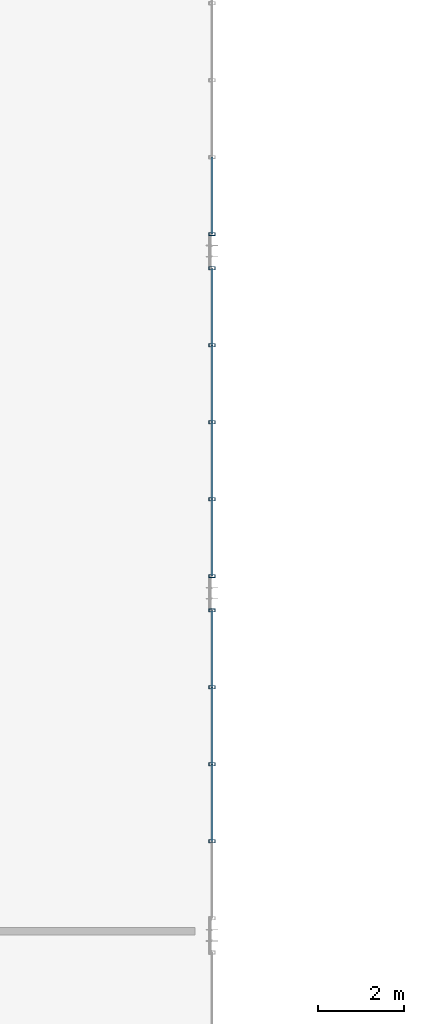
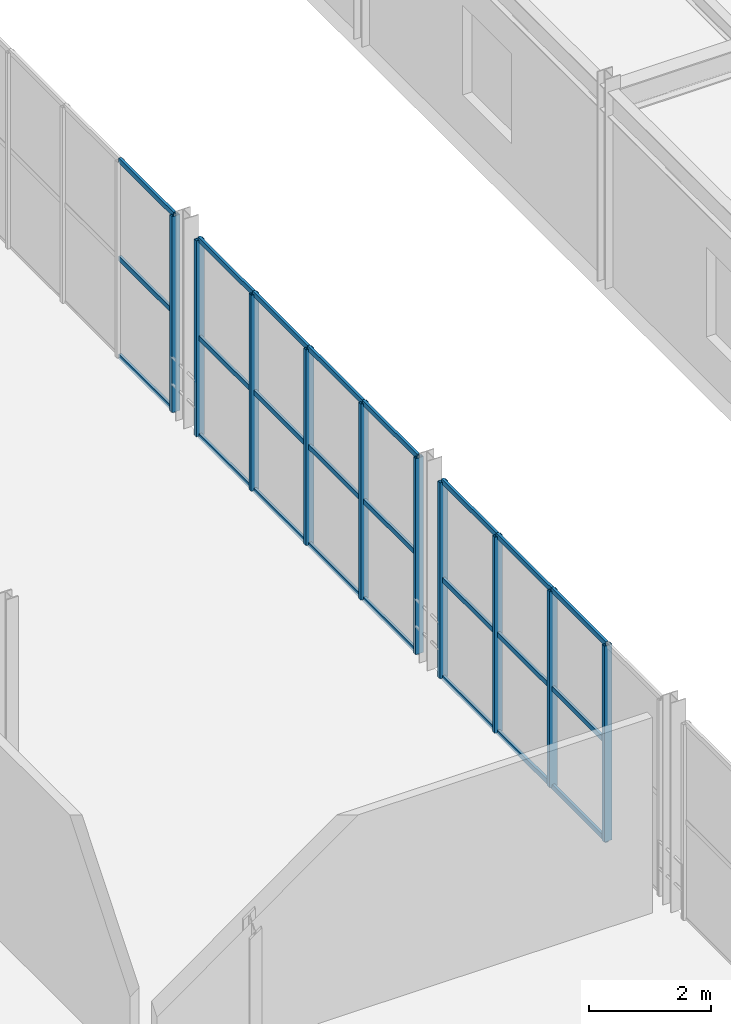
# One storey, part 57 of 122: 34 members, 3 elements without a shape of their own.
"""IFC4 building model written with IfcOpenShell, lengths in metres."""

from ifc_helpers import new_model, si_unit, direction, frame, origin, origin_2d, place, context, subcontext, project, spatial, hollow_rectangle, extrude, material, material_profile, profile_set, type_object, element, aggregate, save


model = new_model("IFC4")

# Units and contexts
model_context = context("Model", 3, precision=1e-05, world=origin(), true_north=direction((0.0, 1.0)))
body_context = subcontext(model_context, "Body", "Model", "MODEL_VIEW")
ifc_project = project(units=[si_unit("LENGTHUNIT", "METRE"), si_unit("AREAUNIT", "SQUARE_METRE"), si_unit("VOLUMEUNIT", "CUBIC_METRE"), si_unit("PLANEANGLEUNIT", "RADIAN"), si_unit("MASSUNIT", "GRAM", prefix="KILO")], contexts=[model_context])

# Site, building, storey
site_placement = place(None, origin())
site = spatial("IfcSite", under=ifc_project, at=site_placement, CompositionType="ELEMENT")
building_placement = place(site_placement, origin())
building = spatial("IfcBuilding", under=site, at=building_placement, Name="Sundkrona Museum", CompositionType="ELEMENT")
storey_placement = place(building_placement, frame((0.0, 0.0, 5.39990234375)))
storey = spatial("IfcBuildingStorey", under=building, at=storey_placement, Name="L01", CompositionType="ELEMENT", Elevation=5.39990234375)

# Curtain wall, members
ifc_material_1 = material(Name="Unitised Aluminium-Steel and Ceramic-Clad Curtain Walling", Category="steel")
curtain_wall_type = type_object("IfcCurtainWallType", Name="CW-PS-54x38", PredefinedType="NOTDEFINED", material=ifc_material_1)
curtain_wall_1_placement = place(storey_placement, origin())
curtain_wall_1 = element("IfcCurtainWall", 1, at=curtain_wall_1_placement, inside=storey, type_object=curtain_wall_type, Name="L01 Curtain Wall CW-L01-119", PredefinedType="NOTDEFINED")
ifc_material_2 = material(Name="Aluminium EN AW-6060 T66", Category="aluminium")
ifc_material_profile_1 = material_profile(ifc_material_2, hollow_rectangle(XDim=0.074951171875, YDim=0.14990234375, WallThickness=0.00634765625, at=origin_2d()), Name="RHS 150x75x6.3")
ifc_profile_set_1 = profile_set([ifc_material_profile_1], Name="Aluminium EN AW-6060 T66")
member_type_1 = type_object("IfcMemberType", Name="ML-150", PredefinedType="MULLION", material=ifc_profile_set_1)
member_1_placement = place(storey_placement, frame((96.0, 80.199951171875, -0.00390625), z_axis=(0.0, 0.0, 1.0), x_axis=(0.0, 1.0, 0.0)))
member_1 = element("IfcMember", 2, at=member_1_placement, type_object=member_type_1, Name="CW-L01-119 Mullion 02", PredefinedType="MULLION", context=body_context, shape_type="SweptSolid", body=[
    extrude(hollow_rectangle(XDim=0.074951171875, YDim=0.14990234375, WallThickness=0.00634765625, at=origin_2d()), origin(), (0.0, 0.0, 1.0), 3.927978515625),
])
member_2_placement = place(storey_placement, frame((96.0, 82.0, -0.00390625), z_axis=(0.0, 0.0, 1.0), x_axis=(0.0, 1.0, 0.0)))
member_2 = element("IfcMember", 3, at=member_2_placement, type_object=member_type_1, Name="CW-L01-119 Mullion 03", PredefinedType="MULLION", context=body_context, shape_type="SweptSolid", body=[
    extrude(hollow_rectangle(XDim=0.074951171875, YDim=0.14990234375, WallThickness=0.00634765625, at=origin_2d()), origin(), (0.0, 0.0, 1.0), 3.927978515625),
])
member_3_placement = place(storey_placement, frame((96.0, 83.800048828125, -0.00390625), z_axis=(0.0, 0.0, 1.0), x_axis=(0.0, 1.0, 0.0)))
member_3 = element("IfcMember", 4, at=member_3_placement, type_object=member_type_1, Name="CW-L01-119 Mullion 04", PredefinedType="MULLION", context=body_context, shape_type="SweptSolid", body=[
    extrude(hollow_rectangle(XDim=0.074951171875, YDim=0.14990234375, WallThickness=0.00634765625, at=origin_2d()), origin(), (0.0, 0.0, 1.0), 3.927978515625),
])
member_4_placement = place(storey_placement, frame((96.0, 85.60009765625, -0.00390625), z_axis=(0.0, 0.0, 1.0), x_axis=(0.0, 1.0, 0.0)))
member_4 = element("IfcMember", 5, at=member_4_placement, type_object=member_type_1, Name="CW-L01-119 Mullion 05", PredefinedType="MULLION", context=body_context, shape_type="SweptSolid", body=[
    extrude(hollow_rectangle(XDim=0.074951171875, YDim=0.14990234375, WallThickness=0.00634765625, at=origin_2d()), origin(), (0.0, 0.0, 1.0), 3.927978515625),
])

curtain_wall_2_placement = place(storey_placement, origin())
curtain_wall_2 = element("IfcCurtainWall", 6, at=curtain_wall_2_placement, inside=storey, type_object=curtain_wall_type, Name="L01 Curtain Wall CW-L01-121", PredefinedType="NOTDEFINED")
member_5_placement = place(storey_placement, frame((96.0, 86.39990234375, -0.00390625), z_axis=(0.0, 0.0, 1.0), x_axis=(0.0, 1.0, 0.0)))
member_5 = element("IfcMember", 7, at=member_5_placement, type_object=member_type_1, Name="CW-L01-121 Mullion 01", PredefinedType="MULLION", context=body_context, shape_type="SweptSolid", body=[
    extrude(hollow_rectangle(XDim=0.074951171875, YDim=0.14990234375, WallThickness=0.00634765625, at=origin_2d()), origin(), (0.0, 0.0, 1.0), 3.927978515625),
])
member_6_placement = place(storey_placement, frame((96.0, 88.199951171875, -0.00390625), z_axis=(0.0, 0.0, 1.0), x_axis=(0.0, 1.0, 0.0)))
member_6 = element("IfcMember", 8, at=member_6_placement, type_object=member_type_1, Name="CW-L01-121 Mullion 02", PredefinedType="MULLION", context=body_context, shape_type="SweptSolid", body=[
    extrude(hollow_rectangle(XDim=0.074951171875, YDim=0.14990234375, WallThickness=0.00634765625, at=origin_2d()), origin(), (0.0, 0.0, 1.0), 3.927978515625),
])
member_7_placement = place(storey_placement, frame((96.0, 90.0, -0.00390625), z_axis=(0.0, 0.0, 1.0), x_axis=(0.0, 1.0, 0.0)))
member_7 = element("IfcMember", 9, at=member_7_placement, type_object=member_type_1, Name="CW-L01-121 Mullion 03", PredefinedType="MULLION", context=body_context, shape_type="SweptSolid", body=[
    extrude(hollow_rectangle(XDim=0.074951171875, YDim=0.14990234375, WallThickness=0.00634765625, at=origin_2d()), origin(), (0.0, 0.0, 1.0), 3.927978515625),
])
member_8_placement = place(storey_placement, frame((96.0, 91.800048828125, -0.00390625), z_axis=(0.0, 0.0, 1.0), x_axis=(0.0, 1.0, 0.0)))
member_8 = element("IfcMember", 10, at=member_8_placement, type_object=member_type_1, Name="CW-L01-121 Mullion 04", PredefinedType="MULLION", context=body_context, shape_type="SweptSolid", body=[
    extrude(hollow_rectangle(XDim=0.074951171875, YDim=0.14990234375, WallThickness=0.00634765625, at=origin_2d()), origin(), (0.0, 0.0, 1.0), 3.927978515625),
])
member_9_placement = place(storey_placement, frame((96.0, 93.60009765625, -0.00390625), z_axis=(0.0, 0.0, 1.0), x_axis=(0.0, 1.0, 0.0)))
member_9 = element("IfcMember", 11, at=member_9_placement, type_object=member_type_1, Name="CW-L01-121 Mullion 05", PredefinedType="MULLION", context=body_context, shape_type="SweptSolid", body=[
    extrude(hollow_rectangle(XDim=0.074951171875, YDim=0.14990234375, WallThickness=0.00634765625, at=origin_2d()), origin(), (0.0, 0.0, 1.0), 3.927978515625),
])

# Curtain wall, member
curtain_wall_3_placement = place(storey_placement, origin())
curtain_wall_3 = element("IfcCurtainWall", 12, at=curtain_wall_3_placement, inside=storey, type_object=curtain_wall_type, Name="L01 Curtain Wall CW-L01-123", PredefinedType="NOTDEFINED")
member_10_placement = place(storey_placement, frame((96.0, 94.39990234375, -0.00390625), z_axis=(0.0, 0.0, 1.0), x_axis=(0.0, 1.0, 0.0)))
member_10 = element("IfcMember", 13, at=member_10_placement, type_object=member_type_1, Name="CW-L01-123 Mullion 01", PredefinedType="MULLION", context=body_context, shape_type="SweptSolid", body=[
    extrude(hollow_rectangle(XDim=0.074951171875, YDim=0.14990234375, WallThickness=0.00634765625, at=origin_2d()), origin(), (0.0, 0.0, 1.0), 3.927978515625),
])

# Member
ifc_material_profile_2 = material_profile(ifc_material_2, hollow_rectangle(XDim=0.050048828125, YDim=0.10009765625, WallThickness=0.0048828125, at=origin_2d()), Name="RHS 100x50x5.0")
ifc_profile_set_2 = profile_set([ifc_material_profile_2], Name="Aluminium EN AW-6060 T66")
member_type_2 = type_object("IfcMemberType", Name="TR-100", PredefinedType="USERDEFINED", material=ifc_profile_set_2)
member_11_placement = place(storey_placement, frame((96.0, 80.199951171875, -0.00390625), z_axis=(0.0, 1.0, 0.0), x_axis=(-1.0, 0.0, 0.0)))
member_11 = element("IfcMember", 14, at=member_11_placement, type_object=member_type_2, Name="CW-L01-119 Transom 04", ObjectType="TRANSOM", PredefinedType="USERDEFINED", context=body_context, shape_type="SweptSolid", body=[
    extrude(hollow_rectangle(XDim=0.050048828125, YDim=0.10009765625, WallThickness=0.0048828125, at=origin_2d()), origin(), (0.0, 0.0, 1.0), 1.800048828125),
])

member_12_placement = place(storey_placement, frame((96.0, 80.199951171875, 1.960205078125), z_axis=(0.0, 1.0, 0.0), x_axis=(-1.0, 0.0, 0.0)))
member_12 = element("IfcMember", 15, at=member_12_placement, type_object=member_type_2, Name="CW-L01-119 Transom 05", ObjectType="TRANSOM", PredefinedType="USERDEFINED", context=body_context, shape_type="SweptSolid", body=[
    extrude(hollow_rectangle(XDim=0.050048828125, YDim=0.10009765625, WallThickness=0.0048828125, at=origin_2d()), origin(), (0.0, 0.0, 1.0), 1.800048828125),
])

member_13_placement = place(storey_placement, frame((96.0, 80.199951171875, 3.924072265625), z_axis=(0.0, 1.0, 0.0), x_axis=(-1.0, 0.0, 0.0)))
member_13 = element("IfcMember", 16, at=member_13_placement, type_object=member_type_2, Name="CW-L01-119 Transom 06", ObjectType="TRANSOM", PredefinedType="USERDEFINED", context=body_context, shape_type="SweptSolid", body=[
    extrude(hollow_rectangle(XDim=0.050048828125, YDim=0.10009765625, WallThickness=0.0048828125, at=origin_2d()), origin(), (0.0, 0.0, 1.0), 1.800048828125),
])

member_14_placement = place(storey_placement, frame((96.0, 82.0, -0.00390625), z_axis=(0.0, 1.0, 0.0), x_axis=(-1.0, 0.0, 0.0)))
member_14 = element("IfcMember", 17, at=member_14_placement, type_object=member_type_2, Name="CW-L01-119 Transom 07", ObjectType="TRANSOM", PredefinedType="USERDEFINED", context=body_context, shape_type="SweptSolid", body=[
    extrude(hollow_rectangle(XDim=0.050048828125, YDim=0.10009765625, WallThickness=0.0048828125, at=origin_2d()), origin(), (0.0, 0.0, 1.0), 1.800048828125),
])

member_15_placement = place(storey_placement, frame((96.0, 82.0, 1.960205078125), z_axis=(0.0, 1.0, 0.0), x_axis=(-1.0, 0.0, 0.0)))
member_15 = element("IfcMember", 18, at=member_15_placement, type_object=member_type_2, Name="CW-L01-119 Transom 08", ObjectType="TRANSOM", PredefinedType="USERDEFINED", context=body_context, shape_type="SweptSolid", body=[
    extrude(hollow_rectangle(XDim=0.050048828125, YDim=0.10009765625, WallThickness=0.0048828125, at=origin_2d()), origin(), (0.0, 0.0, 1.0), 1.800048828125),
])

member_16_placement = place(storey_placement, frame((96.0, 82.0, 3.924072265625), z_axis=(0.0, 1.0, 0.0), x_axis=(-1.0, 0.0, 0.0)))
member_16 = element("IfcMember", 19, at=member_16_placement, type_object=member_type_2, Name="CW-L01-119 Transom 09", ObjectType="TRANSOM", PredefinedType="USERDEFINED", context=body_context, shape_type="SweptSolid", body=[
    extrude(hollow_rectangle(XDim=0.050048828125, YDim=0.10009765625, WallThickness=0.0048828125, at=origin_2d()), origin(), (0.0, 0.0, 1.0), 1.800048828125),
])

member_17_placement = place(storey_placement, frame((96.0, 83.800048828125, -0.00390625), z_axis=(0.0, 1.0, 0.0), x_axis=(-1.0, 0.0, 0.0)))
member_17 = element("IfcMember", 20, at=member_17_placement, type_object=member_type_2, Name="CW-L01-119 Transom 10", ObjectType="TRANSOM", PredefinedType="USERDEFINED", context=body_context, shape_type="SweptSolid", body=[
    extrude(hollow_rectangle(XDim=0.050048828125, YDim=0.10009765625, WallThickness=0.0048828125, at=origin_2d()), origin(), (0.0, 0.0, 1.0), 1.800048828125),
])

member_18_placement = place(storey_placement, frame((96.0, 83.800048828125, 1.960205078125), z_axis=(0.0, 1.0, 0.0), x_axis=(-1.0, 0.0, 0.0)))
member_18 = element("IfcMember", 21, at=member_18_placement, type_object=member_type_2, Name="CW-L01-119 Transom 11", ObjectType="TRANSOM", PredefinedType="USERDEFINED", context=body_context, shape_type="SweptSolid", body=[
    extrude(hollow_rectangle(XDim=0.050048828125, YDim=0.10009765625, WallThickness=0.0048828125, at=origin_2d()), origin(), (0.0, 0.0, 1.0), 1.800048828125),
])

member_19_placement = place(storey_placement, frame((96.0, 83.800048828125, 3.924072265625), z_axis=(0.0, 1.0, 0.0), x_axis=(-1.0, 0.0, 0.0)))
member_19 = element("IfcMember", 22, at=member_19_placement, type_object=member_type_2, Name="CW-L01-119 Transom 12", ObjectType="TRANSOM", PredefinedType="USERDEFINED", context=body_context, shape_type="SweptSolid", body=[
    extrude(hollow_rectangle(XDim=0.050048828125, YDim=0.10009765625, WallThickness=0.0048828125, at=origin_2d()), origin(), (0.0, 0.0, 1.0), 1.800048828125),
])

aggregate(curtain_wall_1, [member_1, member_2, member_3, member_4, member_11, member_12, member_13, member_14, member_15, member_16, member_17, member_18, member_19])

member_20_placement = place(storey_placement, frame((96.0, 86.39990234375, -0.00390625), z_axis=(0.0, 1.0, 0.0), x_axis=(-1.0, 0.0, 0.0)))
member_20 = element("IfcMember", 23, at=member_20_placement, type_object=member_type_2, Name="CW-L01-121 Transom 01", ObjectType="TRANSOM", PredefinedType="USERDEFINED", context=body_context, shape_type="SweptSolid", body=[
    extrude(hollow_rectangle(XDim=0.050048828125, YDim=0.10009765625, WallThickness=0.0048828125, at=origin_2d()), origin(), (0.0, 0.0, 1.0), 1.800048828125),
])

member_21_placement = place(storey_placement, frame((96.0, 86.39990234375, 1.960205078125), z_axis=(0.0, 1.0, 0.0), x_axis=(-1.0, 0.0, 0.0)))
member_21 = element("IfcMember", 24, at=member_21_placement, type_object=member_type_2, Name="CW-L01-121 Transom 02", ObjectType="TRANSOM", PredefinedType="USERDEFINED", context=body_context, shape_type="SweptSolid", body=[
    extrude(hollow_rectangle(XDim=0.050048828125, YDim=0.10009765625, WallThickness=0.0048828125, at=origin_2d()), origin(), (0.0, 0.0, 1.0), 1.800048828125),
])

member_22_placement = place(storey_placement, frame((96.0, 86.39990234375, 3.924072265625), z_axis=(0.0, 1.0, 0.0), x_axis=(-1.0, 0.0, 0.0)))
member_22 = element("IfcMember", 25, at=member_22_placement, type_object=member_type_2, Name="CW-L01-121 Transom 03", ObjectType="TRANSOM", PredefinedType="USERDEFINED", context=body_context, shape_type="SweptSolid", body=[
    extrude(hollow_rectangle(XDim=0.050048828125, YDim=0.10009765625, WallThickness=0.0048828125, at=origin_2d()), origin(), (0.0, 0.0, 1.0), 1.800048828125),
])

member_23_placement = place(storey_placement, frame((96.0, 88.199951171875, -0.00390625), z_axis=(0.0, 1.0, 0.0), x_axis=(-1.0, 0.0, 0.0)))
member_23 = element("IfcMember", 26, at=member_23_placement, type_object=member_type_2, Name="CW-L01-121 Transom 04", ObjectType="TRANSOM", PredefinedType="USERDEFINED", context=body_context, shape_type="SweptSolid", body=[
    extrude(hollow_rectangle(XDim=0.050048828125, YDim=0.10009765625, WallThickness=0.0048828125, at=origin_2d()), origin(), (0.0, 0.0, 1.0), 1.800048828125),
])

member_24_placement = place(storey_placement, frame((96.0, 88.199951171875, 1.960205078125), z_axis=(0.0, 1.0, 0.0), x_axis=(-1.0, 0.0, 0.0)))
member_24 = element("IfcMember", 27, at=member_24_placement, type_object=member_type_2, Name="CW-L01-121 Transom 05", ObjectType="TRANSOM", PredefinedType="USERDEFINED", context=body_context, shape_type="SweptSolid", body=[
    extrude(hollow_rectangle(XDim=0.050048828125, YDim=0.10009765625, WallThickness=0.0048828125, at=origin_2d()), origin(), (0.0, 0.0, 1.0), 1.800048828125),
])

member_25_placement = place(storey_placement, frame((96.0, 88.199951171875, 3.924072265625), z_axis=(0.0, 1.0, 0.0), x_axis=(-1.0, 0.0, 0.0)))
member_25 = element("IfcMember", 28, at=member_25_placement, type_object=member_type_2, Name="CW-L01-121 Transom 06", ObjectType="TRANSOM", PredefinedType="USERDEFINED", context=body_context, shape_type="SweptSolid", body=[
    extrude(hollow_rectangle(XDim=0.050048828125, YDim=0.10009765625, WallThickness=0.0048828125, at=origin_2d()), origin(), (0.0, 0.0, 1.0), 1.800048828125),
])

member_26_placement = place(storey_placement, frame((96.0, 90.0, -0.00390625), z_axis=(0.0, 1.0, 0.0), x_axis=(-1.0, 0.0, 0.0)))
member_26 = element("IfcMember", 29, at=member_26_placement, type_object=member_type_2, Name="CW-L01-121 Transom 07", ObjectType="TRANSOM", PredefinedType="USERDEFINED", context=body_context, shape_type="SweptSolid", body=[
    extrude(hollow_rectangle(XDim=0.050048828125, YDim=0.10009765625, WallThickness=0.0048828125, at=origin_2d()), origin(), (0.0, 0.0, 1.0), 1.800048828125),
])

member_27_placement = place(storey_placement, frame((96.0, 90.0, 1.960205078125), z_axis=(0.0, 1.0, 0.0), x_axis=(-1.0, 0.0, 0.0)))
member_27 = element("IfcMember", 30, at=member_27_placement, type_object=member_type_2, Name="CW-L01-121 Transom 08", ObjectType="TRANSOM", PredefinedType="USERDEFINED", context=body_context, shape_type="SweptSolid", body=[
    extrude(hollow_rectangle(XDim=0.050048828125, YDim=0.10009765625, WallThickness=0.0048828125, at=origin_2d()), origin(), (0.0, 0.0, 1.0), 1.800048828125),
])

member_28_placement = place(storey_placement, frame((96.0, 90.0, 3.924072265625), z_axis=(0.0, 1.0, 0.0), x_axis=(-1.0, 0.0, 0.0)))
member_28 = element("IfcMember", 31, at=member_28_placement, type_object=member_type_2, Name="CW-L01-121 Transom 09", ObjectType="TRANSOM", PredefinedType="USERDEFINED", context=body_context, shape_type="SweptSolid", body=[
    extrude(hollow_rectangle(XDim=0.050048828125, YDim=0.10009765625, WallThickness=0.0048828125, at=origin_2d()), origin(), (0.0, 0.0, 1.0), 1.800048828125),
])

member_29_placement = place(storey_placement, frame((96.0, 91.800048828125, -0.00390625), z_axis=(0.0, 1.0, 0.0), x_axis=(-1.0, 0.0, 0.0)))
member_29 = element("IfcMember", 32, at=member_29_placement, type_object=member_type_2, Name="CW-L01-121 Transom 10", ObjectType="TRANSOM", PredefinedType="USERDEFINED", context=body_context, shape_type="SweptSolid", body=[
    extrude(hollow_rectangle(XDim=0.050048828125, YDim=0.10009765625, WallThickness=0.0048828125, at=origin_2d()), origin(), (0.0, 0.0, 1.0), 1.800048828125),
])

member_30_placement = place(storey_placement, frame((96.0, 91.800048828125, 1.960205078125), z_axis=(0.0, 1.0, 0.0), x_axis=(-1.0, 0.0, 0.0)))
member_30 = element("IfcMember", 33, at=member_30_placement, type_object=member_type_2, Name="CW-L01-121 Transom 11", ObjectType="TRANSOM", PredefinedType="USERDEFINED", context=body_context, shape_type="SweptSolid", body=[
    extrude(hollow_rectangle(XDim=0.050048828125, YDim=0.10009765625, WallThickness=0.0048828125, at=origin_2d()), origin(), (0.0, 0.0, 1.0), 1.800048828125),
])

member_31_placement = place(storey_placement, frame((96.0, 91.800048828125, 3.924072265625), z_axis=(0.0, 1.0, 0.0), x_axis=(-1.0, 0.0, 0.0)))
member_31 = element("IfcMember", 34, at=member_31_placement, type_object=member_type_2, Name="CW-L01-121 Transom 12", ObjectType="TRANSOM", PredefinedType="USERDEFINED", context=body_context, shape_type="SweptSolid", body=[
    extrude(hollow_rectangle(XDim=0.050048828125, YDim=0.10009765625, WallThickness=0.0048828125, at=origin_2d()), origin(), (0.0, 0.0, 1.0), 1.800048828125),
])

aggregate(curtain_wall_2, [member_5, member_6, member_7, member_8, member_9, member_20, member_21, member_22, member_23, member_24, member_25, member_26, member_27, member_28, member_29, member_30, member_31])

member_32_placement = place(storey_placement, frame((96.0, 94.39990234375, -0.00390625), z_axis=(0.0, 1.0, 0.0), x_axis=(-1.0, 0.0, 0.0)))
member_32 = element("IfcMember", 35, at=member_32_placement, type_object=member_type_2, Name="CW-L01-123 Transom 01", ObjectType="TRANSOM", PredefinedType="USERDEFINED", context=body_context, shape_type="SweptSolid", body=[
    extrude(hollow_rectangle(XDim=0.050048828125, YDim=0.10009765625, WallThickness=0.0048828125, at=origin_2d()), origin(), (0.0, 0.0, 1.0), 1.800048828125),
])

member_33_placement = place(storey_placement, frame((96.0, 94.39990234375, 1.960205078125), z_axis=(0.0, 1.0, 0.0), x_axis=(-1.0, 0.0, 0.0)))
member_33 = element("IfcMember", 36, at=member_33_placement, type_object=member_type_2, Name="CW-L01-123 Transom 02", ObjectType="TRANSOM", PredefinedType="USERDEFINED", context=body_context, shape_type="SweptSolid", body=[
    extrude(hollow_rectangle(XDim=0.050048828125, YDim=0.10009765625, WallThickness=0.0048828125, at=origin_2d()), origin(), (0.0, 0.0, 1.0), 1.800048828125),
])

member_34_placement = place(storey_placement, frame((96.0, 94.39990234375, 3.924072265625), z_axis=(0.0, 1.0, 0.0), x_axis=(-1.0, 0.0, 0.0)))
member_34 = element("IfcMember", 37, at=member_34_placement, type_object=member_type_2, Name="CW-L01-123 Transom 03", ObjectType="TRANSOM", PredefinedType="USERDEFINED", context=body_context, shape_type="SweptSolid", body=[
    extrude(hollow_rectangle(XDim=0.050048828125, YDim=0.10009765625, WallThickness=0.0048828125, at=origin_2d()), origin(), (0.0, 0.0, 1.0), 1.800048828125),
])

aggregate(curtain_wall_3, [member_10, member_32, member_33, member_34])

save(model, "model.ifc")
